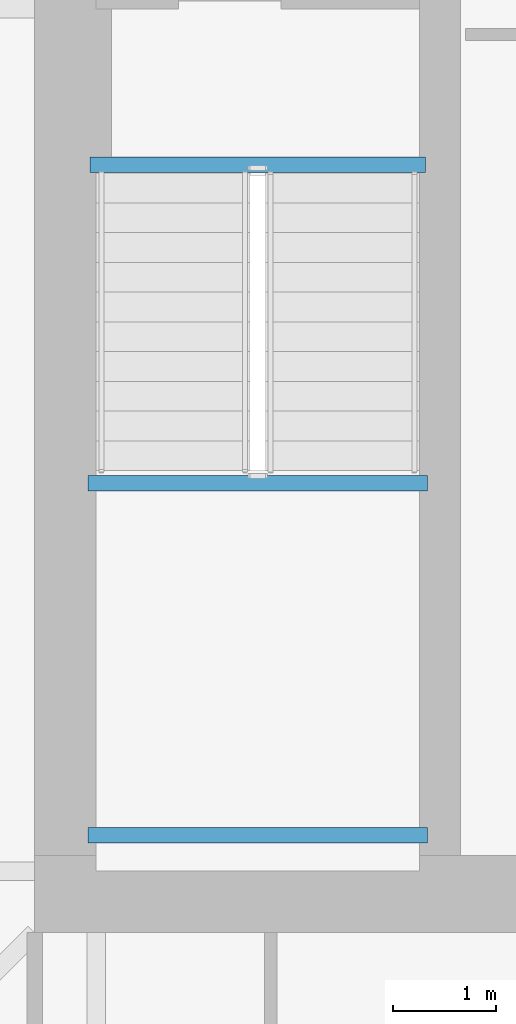
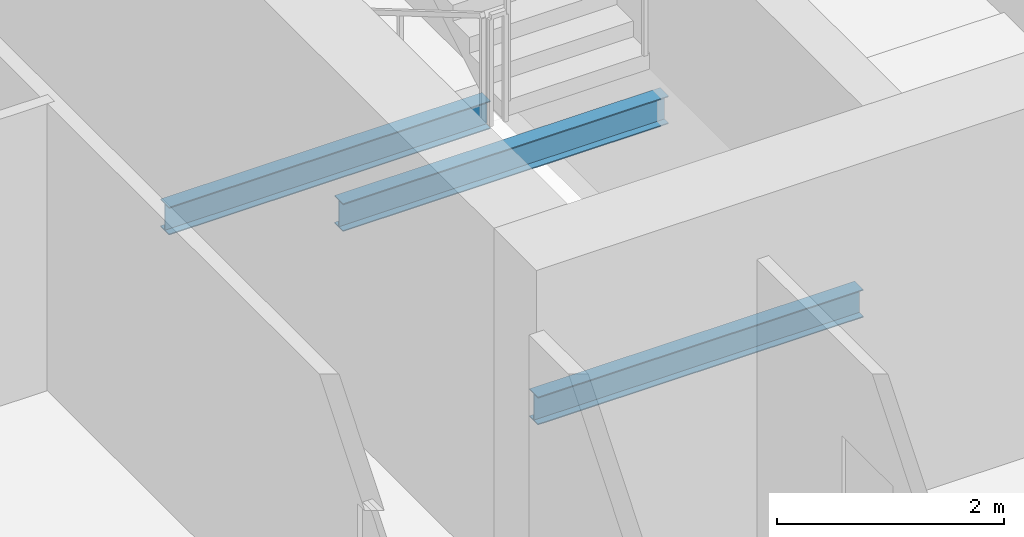
# One storey, part 7 of 25: 3 beams.
"""IFC4 building model written with IfcOpenShell, lengths in metres."""

from ifc_helpers import new_model, si_unit, direction, frame, origin, origin_2d, place, context, subcontext, project, spatial, i_section, extrude, material, material_profile, profile_set, type_object, element, save


model = new_model("IFC4")

# Units and contexts
model_context = context("Model", 3, precision=1e-05, world=origin(), true_north=direction((0.0, 1.0)))
body_context = subcontext(model_context, "Body", "Model", "MODEL_VIEW")
ifc_project = project(units=[si_unit("LENGTHUNIT", "METRE"), si_unit("AREAUNIT", "SQUARE_METRE"), si_unit("VOLUMEUNIT", "CUBIC_METRE"), si_unit("PLANEANGLEUNIT", "RADIAN"), si_unit("MASSUNIT", "GRAM", prefix="KILO")], contexts=[model_context])

# Site, building, storey
site_placement = place(None, origin())
site = spatial("IfcSite", under=ifc_project, at=site_placement, CompositionType="ELEMENT")
building_placement = place(site_placement, origin())
building = spatial("IfcBuilding", under=site, at=building_placement, Name="Belovzor Exchange Tower", CompositionType="ELEMENT")
storey_placement = place(building_placement, frame((0.0, 0.0, 254.10009765625)))
storey = spatial("IfcBuildingStorey", under=building, at=storey_placement, Name="L63", CompositionType="ELEMENT", Elevation=254.10009765625)

# Beams
ifc_material = material(Name="Steel S355", Category="steel")
ifc_material_profile = material_profile(ifc_material, i_section(OverallWidth=0.14990234375, OverallDepth=0.300048828125, WebThickness=0.007080078125, FlangeThickness=0.0107421875, at=origin_2d()))
ifc_profile_set = profile_set([ifc_material_profile], Name="Steel S355")
beam_type = type_object("IfcBeamType", Name="Secondary Trim Floor Joist IPE 300", PredefinedType="BEAM", material=ifc_profile_set)
for number, where, z_axis, x_axis, name in (
    (1, (20.320068359375, 24.179931640625, 1.52490234375), (1.0, 0.0, 0.0), (0.0, 1.0, 0.0), "FJ-300 Secondary Trim Floor Joist IPE 300"),
    (2, (20.320068359375, 20.75, 1.52490234375), (1.0, 0.0, 0.0), (0.0, 1.0, 0.0), "FJ-300 Secondary Trim Floor Joist IPE 300"),
):
    element("IfcBeam", number, at=place(storey_placement, frame(where, z_axis=z_axis, x_axis=x_axis)), inside=storey, type_object=beam_type, Name=name, PredefinedType="BEAM", context=body_context, shape_type="SweptSolid", body=[
        extrude(i_section(OverallWidth=0.14990234375, OverallDepth=0.300048828125, WebThickness=0.007080078125, FlangeThickness=0.0107421875, at=origin_2d()), origin(), (0.0, 0.0, 1.0), 3.309814453125),
    ])
beam_placement = place(storey_placement, frame((20.340087890625, 27.280029296875, -0.400146484375), z_axis=(1.0, 0.0, 0.0), x_axis=(0.0, 1.0, 0.0)))
element("IfcBeam", 3, at=beam_placement, inside=storey, type_object=beam_type, Name="FJ-300 Secondary Trim Floor Joist IPE 300", PredefinedType="BEAM", context=body_context, shape_type="SweptSolid", body=[
    extrude(i_section(OverallWidth=0.14990234375, OverallDepth=0.300048828125, WebThickness=0.007080078125, FlangeThickness=0.0107421875, at=origin_2d()), origin(), (0.0, 0.0, 1.0), 3.27001953125),
])

save(model, "model.ifc")
